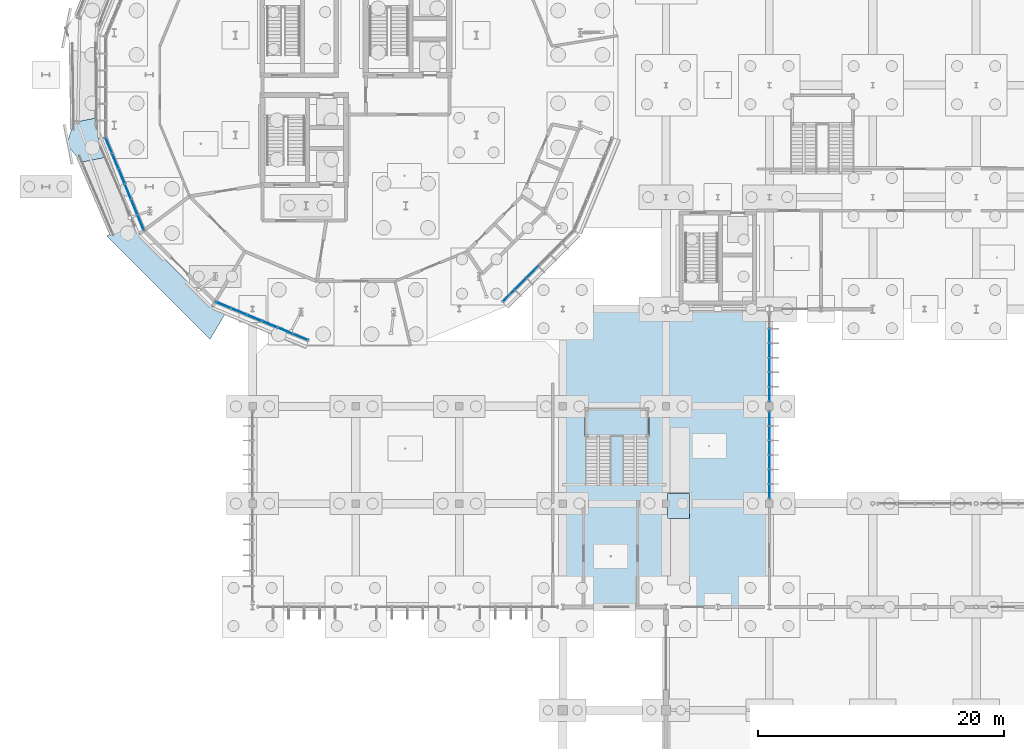
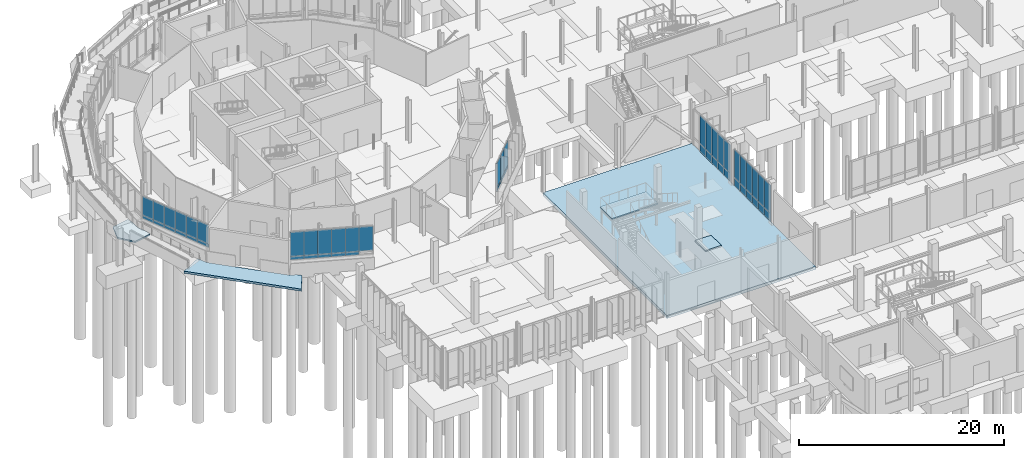
# One storey, part 66 of 119: 51 plates, 5 slabs, 8 elements without a shape of their own.
"""IFC4 building model written with IfcOpenShell, lengths in metres."""

from ifc_helpers import new_model, si_unit, derived_unit, direction, frame, origin, origin_2d, place, context, subcontext, project, spatial, polyline, rectangle, outline, extrude, material, layer, layer_set, type_object, element, aggregate, save


model = new_model("IFC4")

# Units and contexts
model_context = context("Model", 3, precision=1e-05, world=origin(), true_north=direction((0.0, 1.0)))
body_context = subcontext(model_context, "Body", "Model", "MODEL_VIEW")
ifc_project = project(units=[si_unit("LENGTHUNIT", "METRE"), si_unit("AREAUNIT", "SQUARE_METRE"), si_unit("VOLUMEUNIT", "CUBIC_METRE"), si_unit("PLANEANGLEUNIT", "RADIAN"), si_unit("MASSUNIT", "GRAM", prefix="KILO"), derived_unit("THERMALTRANSMITTANCEUNIT", [(si_unit("MASSUNIT", "GRAM", prefix="KILO"), 1), (si_unit("TIMEUNIT", "SECOND"), -3), (si_unit("THERMODYNAMICTEMPERATUREUNIT", "KELVIN"), -1)])], contexts=[model_context])

# Site, building, storey
site_placement = place(None, origin())
site = spatial("IfcSite", under=ifc_project, at=site_placement, CompositionType="ELEMENT")
building_placement = place(site_placement, origin())
building = spatial("IfcBuilding", under=site, at=building_placement, Name="Makaiwela Harbour Ferry Terminal", CompositionType="ELEMENT")
storey_placement = place(building_placement, origin())
storey = spatial("IfcBuildingStorey", under=building, at=storey_placement, Name="L00", CompositionType="ELEMENT", Elevation=0.0)

# Curtain wall, plates
ifc_material_1 = material(Name="Marine anodised aluminium 6063-T6", Category="aluminium")
ifc_layer_1 = layer(ifc_material_1, 0.199951171875)
ifc_layer_set_1 = layer_set([ifc_layer_1], Name="Marine anodised aluminium 6063-T6")
curtain_wall_type_1 = type_object("IfcCurtainWallType", Name="ENV-CW-01", PredefinedType="USERDEFINED", material=ifc_layer_set_1)
curtain_wall_1_placement = place(storey_placement, origin())
curtain_wall_1 = element("IfcCurtainWall", 1, at=curtain_wall_1_placement, inside=storey, type_object=curtain_wall_type_1, Name="Unitised Curtain Wall CWA-008", ObjectType="UNITIZED CURTAIN WALL", PredefinedType="USERDEFINED")
ifc_material_2 = material(Name="Laminated hurricane-impact low-E insulated glazing", Category="glass")
ifc_layer_2 = layer(ifc_material_2, 0.031982421875)
ifc_layer_set_2 = layer_set([ifc_layer_2], Name="Laminated hurricane-impact low-E insulated glazing")
plate_type_1 = type_object("IfcPlateType", Name="CW-PNL-G02", PredefinedType="CURTAIN_PANEL", material=ifc_layer_set_2)
plate_1_placement = place(storey_placement, frame((27.036865234375, 49.71826171875, 1.900146484375), z_axis=(0.0, 0.0, 1.0), x_axis=(0.923879532511, -0.382683432365, 0.0)))
plate_1 = element("IfcPlate", 2, at=plate_1_placement, type_object=plate_type_1, Name="Glazed Vision Panel CWA-008-1G", PredefinedType="CURTAIN_PANEL", context=body_context, shape_type="SweptSolid", body=[
    extrude(rectangle(XDim=1.355712890625, YDim=0.031982421875, at=origin_2d()), origin(), (0.0, 0.0, 1.0), 2.919921875),
])
plate_2_placement = place(storey_placement, frame((28.289306640625, 49.199462890625, 1.900146484375), z_axis=(0.0, 0.0, 1.0), x_axis=(0.923879532511, -0.382683432365, 0.0)))
plate_2 = element("IfcPlate", 3, at=plate_2_placement, type_object=plate_type_1, Name="Glazed Vision Panel CWA-008-2G", PredefinedType="CURTAIN_PANEL", context=body_context, shape_type="SweptSolid", body=[
    extrude(rectangle(XDim=1.355712890625, YDim=0.031982421875, at=origin_2d()), origin(), (0.0, 0.0, 1.0), 2.919921875),
])
plate_3_placement = place(storey_placement, frame((29.541748046875, 48.6806640625, 1.900146484375), z_axis=(0.0, 0.0, 1.0), x_axis=(0.923879532511, -0.382683432365, 0.0)))
plate_3 = element("IfcPlate", 4, at=plate_3_placement, type_object=plate_type_1, Name="Glazed Vision Panel CWA-008-3G", PredefinedType="CURTAIN_PANEL", context=body_context, shape_type="SweptSolid", body=[
    extrude(rectangle(XDim=1.355712890625, YDim=0.031982421875, at=origin_2d()), origin(), (0.0, 0.0, 1.0), 2.919921875),
])
plate_4_placement = place(storey_placement, frame((30.794189453125, 48.161865234375, 1.900146484375), z_axis=(0.0, 0.0, 1.0), x_axis=(0.923879532511, -0.382683432365, 0.0)))
plate_4 = element("IfcPlate", 5, at=plate_4_placement, type_object=plate_type_1, Name="Glazed Vision Panel CWA-008-4G", PredefinedType="CURTAIN_PANEL", context=body_context, shape_type="SweptSolid", body=[
    extrude(rectangle(XDim=1.355712890625, YDim=0.031982421875, at=origin_2d()), origin(), (0.0, 0.0, 1.0), 2.919921875),
])
plate_5_placement = place(storey_placement, frame((32.046630859375, 47.643310546875, 1.900146484375), z_axis=(0.0, 0.0, 1.0), x_axis=(0.923879532511, -0.382683432365, 0.0)))
plate_5 = element("IfcPlate", 6, at=plate_5_placement, type_object=plate_type_1, Name="Glazed Vision Panel CWA-008-5G", PredefinedType="CURTAIN_PANEL", context=body_context, shape_type="SweptSolid", body=[
    extrude(rectangle(XDim=1.355712890625, YDim=0.031982421875, at=origin_2d()), origin(), (0.0, 0.0, 1.0), 2.919921875),
])
plate_6_placement = place(storey_placement, frame((33.29931640625, 47.12451171875, 1.900146484375), z_axis=(0.0, 0.0, 1.0), x_axis=(0.923879532511, -0.382683432365, 0.0)))
plate_6 = element("IfcPlate", 7, at=plate_6_placement, type_object=plate_type_1, Name="Glazed Vision Panel CWA-008-6G", PredefinedType="CURTAIN_PANEL", context=body_context, shape_type="SweptSolid", body=[
    extrude(rectangle(XDim=1.355712890625, YDim=0.031982421875, at=origin_2d()), origin(), (0.0, 0.0, 1.0), 2.919921875),
])

curtain_wall_2_placement = place(storey_placement, origin())
curtain_wall_2 = element("IfcCurtainWall", 8, at=curtain_wall_2_placement, inside=storey, type_object=curtain_wall_type_1, Name="Unitised Curtain Wall CWA-009", ObjectType="UNITIZED CURTAIN WALL", PredefinedType="USERDEFINED")
plate_7_placement = place(storey_placement, frame((50.217529296875, 50.489501953125, 1.900146484375), z_axis=(0.0, 0.0, 1.0), x_axis=(0.707106781187, 0.707106781187, 0.0)))
plate_7 = element("IfcPlate", 9, at=plate_7_placement, type_object=plate_type_1, Name="Glazed Vision Panel CWA-009-1G", PredefinedType="CURTAIN_PANEL", context=body_context, shape_type="SweptSolid", body=[
    extrude(rectangle(XDim=1.355712890625, YDim=0.031982421875, at=origin_2d()), origin(), (0.0, 0.0, 1.0), 2.919921875),
])
plate_8_placement = place(storey_placement, frame((51.176025390625, 51.4482421875, 1.900146484375), z_axis=(0.0, 0.0, 1.0), x_axis=(0.707106781187, 0.707106781187, 0.0)))
plate_8 = element("IfcPlate", 10, at=plate_8_placement, type_object=plate_type_1, Name="Glazed Vision Panel CWA-009-2G", PredefinedType="CURTAIN_PANEL", context=body_context, shape_type="SweptSolid", body=[
    extrude(rectangle(XDim=1.355712890625, YDim=0.031982421875, at=origin_2d()), origin(), (0.0, 0.0, 1.0), 2.919921875),
])
plate_9_placement = place(storey_placement, frame((52.134765625, 52.40673828125, 1.900146484375), z_axis=(0.0, 0.0, 1.0), x_axis=(0.707106781187, 0.707106781187, 0.0)))
plate_9 = element("IfcPlate", 11, at=plate_9_placement, type_object=plate_type_1, Name="Glazed Vision Panel CWA-009-3G", PredefinedType="CURTAIN_PANEL", context=body_context, shape_type="SweptSolid", body=[
    extrude(rectangle(XDim=1.355712890625, YDim=0.031982421875, at=origin_2d()), origin(), (0.0, 0.0, 1.0), 2.919921875),
])

ifc_layer_3 = layer(ifc_material_1, 0.199951171875)
ifc_layer_set_3 = layer_set([ifc_layer_3], Name="Marine anodised aluminium 6063-T6")
curtain_wall_type_2 = type_object("IfcCurtainWallType", Name="ENV-CW-02", PredefinedType="USERDEFINED", material=ifc_layer_set_3)
curtain_wall_3_placement = place(storey_placement, origin())
curtain_wall_3 = element("IfcCurtainWall", 12, at=curtain_wall_3_placement, inside=storey, type_object=curtain_wall_type_2, Name="Unitised Curtain Wall CWA-007", ObjectType="UNITIZED CURTAIN WALL", PredefinedType="USERDEFINED")
ifc_layer_4 = layer(ifc_material_2, 0.031982421875)
ifc_layer_set_4 = layer_set([ifc_layer_4], Name="Laminated hurricane-impact low-E insulated glazing")
plate_type_2 = type_object("IfcPlateType", Name="CW-PNL-G03", PredefinedType="CURTAIN_PANEL", material=ifc_layer_set_4)
plate_10_placement = place(storey_placement, frame((17.724365234375, 62.69921875, 1.89990234375), z_axis=(0.0, 0.0, 1.0), x_axis=(0.382683432365, -0.923879532511, 0.0)))
plate_10 = element("IfcPlate", 13, at=plate_10_placement, type_object=plate_type_2, Name="Glazed Vision Panel CWA-007-1G", PredefinedType="CURTAIN_PANEL", context=body_context, shape_type="SweptSolid", body=[
    extrude(rectangle(XDim=1.355712890625, YDim=0.031982421875, at=origin_2d()), origin(), (0.0, 0.0, 1.0), 2.260009765625),
])
plate_11_placement = place(storey_placement, frame((18.2431640625, 61.44677734375, 1.89990234375), z_axis=(0.0, 0.0, 1.0), x_axis=(0.382683432365, -0.923879532511, 0.0)))
plate_11 = element("IfcPlate", 14, at=plate_11_placement, type_object=plate_type_2, Name="Glazed Vision Panel CWA-007-2G", PredefinedType="CURTAIN_PANEL", context=body_context, shape_type="SweptSolid", body=[
    extrude(rectangle(XDim=1.355712890625, YDim=0.031982421875, at=origin_2d()), origin(), (0.0, 0.0, 1.0), 2.260009765625),
])
plate_12_placement = place(storey_placement, frame((18.761962890625, 60.1943359375, 1.89990234375), z_axis=(0.0, 0.0, 1.0), x_axis=(0.382683432365, -0.923879532511, 0.0)))
plate_12 = element("IfcPlate", 15, at=plate_12_placement, type_object=plate_type_2, Name="Glazed Vision Panel CWA-007-3G", PredefinedType="CURTAIN_PANEL", context=body_context, shape_type="SweptSolid", body=[
    extrude(rectangle(XDim=1.355712890625, YDim=0.031982421875, at=origin_2d()), origin(), (0.0, 0.0, 1.0), 2.260009765625),
])
plate_13_placement = place(storey_placement, frame((19.28076171875, 58.94189453125, 1.89990234375), z_axis=(0.0, 0.0, 1.0), x_axis=(0.382683432365, -0.923879532511, 0.0)))
plate_13 = element("IfcPlate", 16, at=plate_13_placement, type_object=plate_type_2, Name="Glazed Vision Panel CWA-007-4G", PredefinedType="CURTAIN_PANEL", context=body_context, shape_type="SweptSolid", body=[
    extrude(rectangle(XDim=1.355712890625, YDim=0.031982421875, at=origin_2d()), origin(), (0.0, 0.0, 1.0), 2.260009765625),
])
plate_14_placement = place(storey_placement, frame((19.799560546875, 57.689453125, 1.89990234375), z_axis=(0.0, 0.0, 1.0), x_axis=(0.382683432365, -0.923879532511, 0.0)))
plate_14 = element("IfcPlate", 17, at=plate_14_placement, type_object=plate_type_2, Name="Glazed Vision Panel CWA-007-5G", PredefinedType="CURTAIN_PANEL", context=body_context, shape_type="SweptSolid", body=[
    extrude(rectangle(XDim=1.355712890625, YDim=0.031982421875, at=origin_2d()), origin(), (0.0, 0.0, 1.0), 2.260009765625),
])
plate_15_placement = place(storey_placement, frame((20.318115234375, 56.43701171875, 1.89990234375), z_axis=(0.0, 0.0, 1.0), x_axis=(0.382683432365, -0.923879532511, 0.0)))
plate_15 = element("IfcPlate", 18, at=plate_15_placement, type_object=plate_type_2, Name="Glazed Vision Panel CWA-007-6G", PredefinedType="CURTAIN_PANEL", context=body_context, shape_type="SweptSolid", body=[
    extrude(rectangle(XDim=1.355712890625, YDim=0.031982421875, at=origin_2d()), origin(), (0.0, 0.0, 1.0), 2.260009765625),
])

ifc_layer_5 = layer(ifc_material_1, 0.199951171875)
ifc_layer_set_5 = layer_set([ifc_layer_5], Name="Marine anodised aluminium 6063-T6")
curtain_wall_type_3 = type_object("IfcCurtainWallType", Name="ENV-CW-12", PredefinedType="USERDEFINED", material=ifc_layer_set_5)
curtain_wall_4_placement = place(storey_placement, origin())
curtain_wall_4 = element("IfcCurtainWall", 19, at=curtain_wall_4_placement, inside=storey, type_object=curtain_wall_type_3, Name="Unitised Curtain Wall CWA-108", ObjectType="UNITIZED CURTAIN WALL", PredefinedType="USERDEFINED")
ifc_layer_6 = layer(ifc_material_2, 0.031982421875)
ifc_layer_set_6 = layer_set([ifc_layer_6], Name="Laminated hurricane-impact low-E insulated glazing")
plate_type_3 = type_object("IfcPlateType", Name="CW-PNL-G17", PredefinedType="CURTAIN_PANEL", material=ifc_layer_set_6)
plate_16_placement = place(storey_placement, frame((71.39990234375, 40.49169921875, 0.949951171875), z_axis=(0.0, 0.0, 1.0), x_axis=(0.0, -1.0, 0.0)))
plate_16 = element("IfcPlate", 20, at=plate_16_placement, type_object=plate_type_3, Name="Glazed Vision Panel CWA-108-1G", PredefinedType="CURTAIN_PANEL", context=body_context, shape_type="SweptSolid", body=[
    extrude(rectangle(XDim=1.1767578125, YDim=0.031982421875, at=origin_2d()), origin(), (0.0, 0.0, 1.0), 3.39990234375),
])
plate_17_placement = place(storey_placement, frame((71.39990234375, 39.31494140625, 0.949951171875), z_axis=(0.0, 0.0, 1.0), x_axis=(0.0, -1.0, 0.0)))
plate_17 = element("IfcPlate", 21, at=plate_17_placement, type_object=plate_type_3, Name="Glazed Vision Panel CWA-108-2G", PredefinedType="CURTAIN_PANEL", context=body_context, shape_type="SweptSolid", body=[
    extrude(rectangle(XDim=1.1767578125, YDim=0.031982421875, at=origin_2d()), origin(), (0.0, 0.0, 1.0), 3.39990234375),
])
plate_18_placement = place(storey_placement, frame((71.39990234375, 38.13818359375, 0.949951171875), z_axis=(0.0, 0.0, 1.0), x_axis=(0.0, -1.0, 0.0)))
plate_18 = element("IfcPlate", 22, at=plate_18_placement, type_object=plate_type_3, Name="Glazed Vision Panel CWA-108-3G", PredefinedType="CURTAIN_PANEL", context=body_context, shape_type="SweptSolid", body=[
    extrude(rectangle(XDim=1.1767578125, YDim=0.031982421875, at=origin_2d()), origin(), (0.0, 0.0, 1.0), 3.39990234375),
])
plate_19_placement = place(storey_placement, frame((71.39990234375, 36.961669921875, 0.949951171875), z_axis=(0.0, 0.0, 1.0), x_axis=(0.0, -1.0, 0.0)))
plate_19 = element("IfcPlate", 23, at=plate_19_placement, type_object=plate_type_3, Name="Glazed Vision Panel CWA-108-4G", PredefinedType="CURTAIN_PANEL", context=body_context, shape_type="SweptSolid", body=[
    extrude(rectangle(XDim=1.1767578125, YDim=0.031982421875, at=origin_2d()), origin(), (0.0, 0.0, 1.0), 3.39990234375),
])
plate_20_placement = place(storey_placement, frame((71.39990234375, 35.784912109375, 0.949951171875), z_axis=(0.0, 0.0, 1.0), x_axis=(0.0, -1.0, 0.0)))
plate_20 = element("IfcPlate", 24, at=plate_20_placement, type_object=plate_type_3, Name="Glazed Vision Panel CWA-108-5G", PredefinedType="CURTAIN_PANEL", context=body_context, shape_type="SweptSolid", body=[
    extrude(rectangle(XDim=1.1767578125, YDim=0.031982421875, at=origin_2d()), origin(), (0.0, 0.0, 1.0), 3.39990234375),
])
plate_21_placement = place(storey_placement, frame((71.39990234375, 34.6083984375, 0.949951171875), z_axis=(0.0, 0.0, 1.0), x_axis=(0.0, -1.0, 0.0)))
plate_21 = element("IfcPlate", 25, at=plate_21_placement, type_object=plate_type_3, Name="Glazed Vision Panel CWA-108-6G", PredefinedType="CURTAIN_PANEL", context=body_context, shape_type="SweptSolid", body=[
    extrude(rectangle(XDim=1.1767578125, YDim=0.031982421875, at=origin_2d()), origin(), (0.0, 0.0, 1.0), 3.39990234375),
])

curtain_wall_5_placement = place(storey_placement, origin())
curtain_wall_5 = element("IfcCurtainWall", 26, at=curtain_wall_5_placement, inside=storey, type_object=curtain_wall_type_3, Name="Unitised Curtain Wall CWA-111", ObjectType="UNITIZED CURTAIN WALL", PredefinedType="USERDEFINED")
plate_22_placement = place(storey_placement, frame((71.39990234375, 47.215087890625, 0.949951171875), z_axis=(0.0, 0.0, 1.0), x_axis=(0.0, -1.0, 0.0)))
plate_22 = element("IfcPlate", 27, at=plate_22_placement, type_object=plate_type_3, Name="Glazed Vision Panel CWA-111-2G", PredefinedType="CURTAIN_PANEL", context=body_context, shape_type="SweptSolid", body=[
    extrude(rectangle(XDim=1.1767578125, YDim=0.031982421875, at=origin_2d()), origin(), (0.0, 0.0, 1.0), 3.39990234375),
])
plate_23_placement = place(storey_placement, frame((71.39990234375, 46.038330078125, 0.949951171875), z_axis=(0.0, 0.0, 1.0), x_axis=(0.0, -1.0, 0.0)))
plate_23 = element("IfcPlate", 28, at=plate_23_placement, type_object=plate_type_3, Name="Glazed Vision Panel CWA-111-3G", PredefinedType="CURTAIN_PANEL", context=body_context, shape_type="SweptSolid", body=[
    extrude(rectangle(XDim=1.1767578125, YDim=0.031982421875, at=origin_2d()), origin(), (0.0, 0.0, 1.0), 3.39990234375),
])
plate_24_placement = place(storey_placement, frame((71.39990234375, 44.86181640625, 0.949951171875), z_axis=(0.0, 0.0, 1.0), x_axis=(0.0, -1.0, 0.0)))
plate_24 = element("IfcPlate", 29, at=plate_24_placement, type_object=plate_type_3, Name="Glazed Vision Panel CWA-111-4G", PredefinedType="CURTAIN_PANEL", context=body_context, shape_type="SweptSolid", body=[
    extrude(rectangle(XDim=1.1767578125, YDim=0.031982421875, at=origin_2d()), origin(), (0.0, 0.0, 1.0), 3.39990234375),
])
plate_25_placement = place(storey_placement, frame((71.39990234375, 43.68505859375, 0.949951171875), z_axis=(0.0, 0.0, 1.0), x_axis=(0.0, -1.0, 0.0)))
plate_25 = element("IfcPlate", 30, at=plate_25_placement, type_object=plate_type_3, Name="Glazed Vision Panel CWA-111-5G", PredefinedType="CURTAIN_PANEL", context=body_context, shape_type="SweptSolid", body=[
    extrude(rectangle(XDim=1.1767578125, YDim=0.031982421875, at=origin_2d()), origin(), (0.0, 0.0, 1.0), 3.39990234375),
])
plate_26_placement = place(storey_placement, frame((71.39990234375, 42.50830078125, 0.949951171875), z_axis=(0.0, 0.0, 1.0), x_axis=(0.0, -1.0, 0.0)))
plate_26 = element("IfcPlate", 31, at=plate_26_placement, type_object=plate_type_3, Name="Glazed Vision Panel CWA-111-6G", PredefinedType="CURTAIN_PANEL", context=body_context, shape_type="SweptSolid", body=[
    extrude(rectangle(XDim=1.1767578125, YDim=0.031982421875, at=origin_2d()), origin(), (0.0, 0.0, 1.0), 3.39990234375),
])

# Plate
ifc_material_3 = material(Name="Insulated marine aluminium spandrel panel", Category="aluminium")
ifc_layer_7 = layer(ifc_material_3, 0.048095703125)
ifc_layer_set_7 = layer_set([ifc_layer_7], Name="Insulated marine aluminium spandrel panel")
plate_type_4 = type_object("IfcPlateType", Name="CW-PNL-S01", PredefinedType="CURTAIN_PANEL", material=ifc_layer_set_7)
plate_27_placement = place(storey_placement, frame((17.724365234375, 62.69921875, 1.47998046875), z_axis=(0.0, 0.0, 1.0), x_axis=(0.382683432365, -0.923879532511, 0.0)))
plate_27 = element("IfcPlate", 32, at=plate_27_placement, type_object=plate_type_4, Name="Spandrel Panel CWA-007-1S", PredefinedType="CURTAIN_PANEL", context=body_context, shape_type="SweptSolid", body=[
    extrude(rectangle(XDim=1.355712890625, YDim=0.048095703125, at=origin_2d()), origin(), (0.0, 0.0, 1.0), 0.419921875),
])

plate_28_placement = place(storey_placement, frame((18.2431640625, 61.44677734375, 1.47998046875), z_axis=(0.0, 0.0, 1.0), x_axis=(0.382683432365, -0.923879532511, 0.0)))
plate_28 = element("IfcPlate", 33, at=plate_28_placement, type_object=plate_type_4, Name="Spandrel Panel CWA-007-2S", PredefinedType="CURTAIN_PANEL", context=body_context, shape_type="SweptSolid", body=[
    extrude(rectangle(XDim=1.355712890625, YDim=0.048095703125, at=origin_2d()), origin(), (0.0, 0.0, 1.0), 0.419921875),
])

plate_29_placement = place(storey_placement, frame((18.761962890625, 60.1943359375, 1.47998046875), z_axis=(0.0, 0.0, 1.0), x_axis=(0.382683432365, -0.923879532511, 0.0)))
plate_29 = element("IfcPlate", 34, at=plate_29_placement, type_object=plate_type_4, Name="Spandrel Panel CWA-007-3S", PredefinedType="CURTAIN_PANEL", context=body_context, shape_type="SweptSolid", body=[
    extrude(rectangle(XDim=1.355712890625, YDim=0.048095703125, at=origin_2d()), origin(), (0.0, 0.0, 1.0), 0.419921875),
])

plate_30_placement = place(storey_placement, frame((19.28076171875, 58.94189453125, 1.47998046875), z_axis=(0.0, 0.0, 1.0), x_axis=(0.382683432365, -0.923879532511, 0.0)))
plate_30 = element("IfcPlate", 35, at=plate_30_placement, type_object=plate_type_4, Name="Spandrel Panel CWA-007-4S", PredefinedType="CURTAIN_PANEL", context=body_context, shape_type="SweptSolid", body=[
    extrude(rectangle(XDim=1.355712890625, YDim=0.048095703125, at=origin_2d()), origin(), (0.0, 0.0, 1.0), 0.419921875),
])

plate_31_placement = place(storey_placement, frame((19.799560546875, 57.689453125, 1.47998046875), z_axis=(0.0, 0.0, 1.0), x_axis=(0.382683432365, -0.923879532511, 0.0)))
plate_31 = element("IfcPlate", 36, at=plate_31_placement, type_object=plate_type_4, Name="Spandrel Panel CWA-007-5S", PredefinedType="CURTAIN_PANEL", context=body_context, shape_type="SweptSolid", body=[
    extrude(rectangle(XDim=1.355712890625, YDim=0.048095703125, at=origin_2d()), origin(), (0.0, 0.0, 1.0), 0.419921875),
])

plate_32_placement = place(storey_placement, frame((20.318115234375, 56.43701171875, 1.47998046875), z_axis=(0.0, 0.0, 1.0), x_axis=(0.382683432365, -0.923879532511, 0.0)))
plate_32 = element("IfcPlate", 37, at=plate_32_placement, type_object=plate_type_4, Name="Spandrel Panel CWA-007-6S", PredefinedType="CURTAIN_PANEL", context=body_context, shape_type="SweptSolid", body=[
    extrude(rectangle(XDim=1.355712890625, YDim=0.048095703125, at=origin_2d()), origin(), (0.0, 0.0, 1.0), 0.419921875),
])

aggregate(curtain_wall_3, [plate_27, plate_10, plate_28, plate_11, plate_29, plate_12, plate_30, plate_13, plate_31, plate_14, plate_32, plate_15])

plate_33_placement = place(storey_placement, frame((27.036865234375, 49.71826171875, 1.47998046875), z_axis=(0.0, 0.0, 1.0), x_axis=(0.923879532511, -0.382683432365, 0.0)))
plate_33 = element("IfcPlate", 38, at=plate_33_placement, type_object=plate_type_4, Name="Spandrel Panel CWA-008-1S", PredefinedType="CURTAIN_PANEL", context=body_context, shape_type="SweptSolid", body=[
    extrude(rectangle(XDim=1.355712890625, YDim=0.048095703125, at=origin_2d()), origin(), (0.0, 0.0, 1.0), 0.419921875),
])

plate_34_placement = place(storey_placement, frame((28.289306640625, 49.199462890625, 1.47998046875), z_axis=(0.0, 0.0, 1.0), x_axis=(0.923879532511, -0.382683432365, 0.0)))
plate_34 = element("IfcPlate", 39, at=plate_34_placement, type_object=plate_type_4, Name="Spandrel Panel CWA-008-2S", PredefinedType="CURTAIN_PANEL", context=body_context, shape_type="SweptSolid", body=[
    extrude(rectangle(XDim=1.355712890625, YDim=0.048095703125, at=origin_2d()), origin(), (0.0, 0.0, 1.0), 0.419921875),
])

plate_35_placement = place(storey_placement, frame((29.541748046875, 48.6806640625, 1.47998046875), z_axis=(0.0, 0.0, 1.0), x_axis=(0.923879532511, -0.382683432365, 0.0)))
plate_35 = element("IfcPlate", 40, at=plate_35_placement, type_object=plate_type_4, Name="Spandrel Panel CWA-008-3S", PredefinedType="CURTAIN_PANEL", context=body_context, shape_type="SweptSolid", body=[
    extrude(rectangle(XDim=1.355712890625, YDim=0.048095703125, at=origin_2d()), origin(), (0.0, 0.0, 1.0), 0.419921875),
])

plate_36_placement = place(storey_placement, frame((30.794189453125, 48.161865234375, 1.47998046875), z_axis=(0.0, 0.0, 1.0), x_axis=(0.923879532511, -0.382683432365, 0.0)))
plate_36 = element("IfcPlate", 41, at=plate_36_placement, type_object=plate_type_4, Name="Spandrel Panel CWA-008-4S", PredefinedType="CURTAIN_PANEL", context=body_context, shape_type="SweptSolid", body=[
    extrude(rectangle(XDim=1.355712890625, YDim=0.048095703125, at=origin_2d()), origin(), (0.0, 0.0, 1.0), 0.419921875),
])

plate_37_placement = place(storey_placement, frame((32.046630859375, 47.643310546875, 1.47998046875), z_axis=(0.0, 0.0, 1.0), x_axis=(0.923879532511, -0.382683432365, 0.0)))
plate_37 = element("IfcPlate", 42, at=plate_37_placement, type_object=plate_type_4, Name="Spandrel Panel CWA-008-5S", PredefinedType="CURTAIN_PANEL", context=body_context, shape_type="SweptSolid", body=[
    extrude(rectangle(XDim=1.355712890625, YDim=0.048095703125, at=origin_2d()), origin(), (0.0, 0.0, 1.0), 0.419921875),
])

aggregate(curtain_wall_1, [plate_33, plate_1, plate_34, plate_2, plate_35, plate_3, plate_36, plate_4, plate_37, plate_5, plate_6])

plate_38_placement = place(storey_placement, frame((50.217529296875, 50.489501953125, 1.47998046875), z_axis=(0.0, 0.0, 1.0), x_axis=(0.707106781187, 0.707106781187, 0.0)))
plate_38 = element("IfcPlate", 43, at=plate_38_placement, type_object=plate_type_4, Name="Spandrel Panel CWA-009-1S", PredefinedType="CURTAIN_PANEL", context=body_context, shape_type="SweptSolid", body=[
    extrude(rectangle(XDim=1.355712890625, YDim=0.048095703125, at=origin_2d()), origin(), (0.0, 0.0, 1.0), 0.419921875),
])

plate_39_placement = place(storey_placement, frame((51.176025390625, 51.4482421875, 1.47998046875), z_axis=(0.0, 0.0, 1.0), x_axis=(0.707106781187, 0.707106781187, 0.0)))
plate_39 = element("IfcPlate", 44, at=plate_39_placement, type_object=plate_type_4, Name="Spandrel Panel CWA-009-2S", PredefinedType="CURTAIN_PANEL", context=body_context, shape_type="SweptSolid", body=[
    extrude(rectangle(XDim=1.355712890625, YDim=0.048095703125, at=origin_2d()), origin(), (0.0, 0.0, 1.0), 0.419921875),
])

plate_40_placement = place(storey_placement, frame((52.134765625, 52.40673828125, 1.47998046875), z_axis=(0.0, 0.0, 1.0), x_axis=(0.707106781187, 0.707106781187, 0.0)))
plate_40 = element("IfcPlate", 45, at=plate_40_placement, type_object=plate_type_4, Name="Spandrel Panel CWA-009-3S", PredefinedType="CURTAIN_PANEL", context=body_context, shape_type="SweptSolid", body=[
    extrude(rectangle(XDim=1.355712890625, YDim=0.048095703125, at=origin_2d()), origin(), (0.0, 0.0, 1.0), 0.419921875),
])

aggregate(curtain_wall_2, [plate_38, plate_7, plate_39, plate_8, plate_40, plate_9])

ifc_layer_8 = layer(ifc_material_3, 0.048095703125)
ifc_layer_set_8 = layer_set([ifc_layer_8], Name="Insulated marine aluminium spandrel panel")
plate_type_5 = type_object("IfcPlateType", Name="CW-PNL-S16", PredefinedType="CURTAIN_PANEL", material=ifc_layer_set_8)
plate_41_placement = place(storey_placement, frame((71.39990234375, 40.49169921875, 0.0), z_axis=(0.0, 0.0, 1.0), x_axis=(0.0, -1.0, 0.0)))
plate_41 = element("IfcPlate", 46, at=plate_41_placement, type_object=plate_type_5, Name="Spandrel Panel CWA-108-1S", PredefinedType="CURTAIN_PANEL", context=body_context, shape_type="SweptSolid", body=[
    extrude(rectangle(XDim=1.1767578125, YDim=0.048095703125, at=origin_2d()), origin(), (0.0, 0.0, 1.0), 0.949951171875),
])

plate_42_placement = place(storey_placement, frame((71.39990234375, 39.31494140625, 0.0), z_axis=(0.0, 0.0, 1.0), x_axis=(0.0, -1.0, 0.0)))
plate_42 = element("IfcPlate", 47, at=plate_42_placement, type_object=plate_type_5, Name="Spandrel Panel CWA-108-2S", PredefinedType="CURTAIN_PANEL", context=body_context, shape_type="SweptSolid", body=[
    extrude(rectangle(XDim=1.1767578125, YDim=0.048095703125, at=origin_2d()), origin(), (0.0, 0.0, 1.0), 0.949951171875),
])

plate_43_placement = place(storey_placement, frame((71.39990234375, 38.13818359375, 0.0), z_axis=(0.0, 0.0, 1.0), x_axis=(0.0, -1.0, 0.0)))
plate_43 = element("IfcPlate", 48, at=plate_43_placement, type_object=plate_type_5, Name="Spandrel Panel CWA-108-3S", PredefinedType="CURTAIN_PANEL", context=body_context, shape_type="SweptSolid", body=[
    extrude(rectangle(XDim=1.1767578125, YDim=0.048095703125, at=origin_2d()), origin(), (0.0, 0.0, 1.0), 0.949951171875),
])

plate_44_placement = place(storey_placement, frame((71.39990234375, 36.961669921875, 0.0), z_axis=(0.0, 0.0, 1.0), x_axis=(0.0, -1.0, 0.0)))
plate_44 = element("IfcPlate", 49, at=plate_44_placement, type_object=plate_type_5, Name="Spandrel Panel CWA-108-4S", PredefinedType="CURTAIN_PANEL", context=body_context, shape_type="SweptSolid", body=[
    extrude(rectangle(XDim=1.1767578125, YDim=0.048095703125, at=origin_2d()), origin(), (0.0, 0.0, 1.0), 0.949951171875),
])

plate_45_placement = place(storey_placement, frame((71.39990234375, 35.784912109375, 0.0), z_axis=(0.0, 0.0, 1.0), x_axis=(0.0, -1.0, 0.0)))
plate_45 = element("IfcPlate", 50, at=plate_45_placement, type_object=plate_type_5, Name="Spandrel Panel CWA-108-5S", PredefinedType="CURTAIN_PANEL", context=body_context, shape_type="SweptSolid", body=[
    extrude(rectangle(XDim=1.1767578125, YDim=0.048095703125, at=origin_2d()), origin(), (0.0, 0.0, 1.0), 0.949951171875),
])

plate_46_placement = place(storey_placement, frame((71.39990234375, 34.6083984375, 0.0), z_axis=(0.0, 0.0, 1.0), x_axis=(0.0, -1.0, 0.0)))
plate_46 = element("IfcPlate", 51, at=plate_46_placement, type_object=plate_type_5, Name="Spandrel Panel CWA-108-6S", PredefinedType="CURTAIN_PANEL", context=body_context, shape_type="SweptSolid", body=[
    extrude(rectangle(XDim=1.1767578125, YDim=0.048095703125, at=origin_2d()), origin(), (0.0, 0.0, 1.0), 0.949951171875),
])

aggregate(curtain_wall_4, [plate_41, plate_16, plate_42, plate_17, plate_43, plate_18, plate_44, plate_19, plate_45, plate_20, plate_46, plate_21])

plate_47_placement = place(storey_placement, frame((71.39990234375, 47.215087890625, 0.0), z_axis=(0.0, 0.0, 1.0), x_axis=(0.0, -1.0, 0.0)))
plate_47 = element("IfcPlate", 52, at=plate_47_placement, type_object=plate_type_5, Name="Spandrel Panel CWA-111-2S", PredefinedType="CURTAIN_PANEL", context=body_context, shape_type="SweptSolid", body=[
    extrude(rectangle(XDim=1.1767578125, YDim=0.048095703125, at=origin_2d()), origin(), (0.0, 0.0, 1.0), 0.949951171875),
])

plate_48_placement = place(storey_placement, frame((71.39990234375, 46.038330078125, 0.0), z_axis=(0.0, 0.0, 1.0), x_axis=(0.0, -1.0, 0.0)))
plate_48 = element("IfcPlate", 53, at=plate_48_placement, type_object=plate_type_5, Name="Spandrel Panel CWA-111-3S", PredefinedType="CURTAIN_PANEL", context=body_context, shape_type="SweptSolid", body=[
    extrude(rectangle(XDim=1.1767578125, YDim=0.048095703125, at=origin_2d()), origin(), (0.0, 0.0, 1.0), 0.949951171875),
])

plate_49_placement = place(storey_placement, frame((71.39990234375, 44.86181640625, 0.0), z_axis=(0.0, 0.0, 1.0), x_axis=(0.0, -1.0, 0.0)))
plate_49 = element("IfcPlate", 54, at=plate_49_placement, type_object=plate_type_5, Name="Spandrel Panel CWA-111-4S", PredefinedType="CURTAIN_PANEL", context=body_context, shape_type="SweptSolid", body=[
    extrude(rectangle(XDim=1.1767578125, YDim=0.048095703125, at=origin_2d()), origin(), (0.0, 0.0, 1.0), 0.949951171875),
])

plate_50_placement = place(storey_placement, frame((71.39990234375, 43.68505859375, 0.0), z_axis=(0.0, 0.0, 1.0), x_axis=(0.0, -1.0, 0.0)))
plate_50 = element("IfcPlate", 55, at=plate_50_placement, type_object=plate_type_5, Name="Spandrel Panel CWA-111-5S", PredefinedType="CURTAIN_PANEL", context=body_context, shape_type="SweptSolid", body=[
    extrude(rectangle(XDim=1.1767578125, YDim=0.048095703125, at=origin_2d()), origin(), (0.0, 0.0, 1.0), 0.949951171875),
])

plate_51_placement = place(storey_placement, frame((71.39990234375, 42.50830078125, 0.0), z_axis=(0.0, 0.0, 1.0), x_axis=(0.0, -1.0, 0.0)))
plate_51 = element("IfcPlate", 56, at=plate_51_placement, type_object=plate_type_5, Name="Spandrel Panel CWA-111-6S", PredefinedType="CURTAIN_PANEL", context=body_context, shape_type="SweptSolid", body=[
    extrude(rectangle(XDim=1.1767578125, YDim=0.048095703125, at=origin_2d()), origin(), (0.0, 0.0, 1.0), 0.949951171875),
])

aggregate(curtain_wall_5, [plate_47, plate_22, plate_48, plate_23, plate_49, plate_24, plate_50, plate_25, plate_51, plate_26])

# Slab
ifc_material_4 = material(Name="Concrete f'c 35 MPa (5000 psi)", Category="concrete")
ifc_layer_9 = layer(ifc_material_4, 0.360107421875)
ifc_layer_set_9 = layer_set([ifc_layer_9], Name="Concrete f'c 35 MPa (5000 psi)")
slab_type_1 = type_object("IfcSlabType", Name="SLB-BASE-360", PredefinedType="BASESLAB", material=ifc_layer_set_9)
slab_1_placement = place(storey_placement, frame((0.0, 0.0, -0.360107421875)))
element("IfcSlab", 57, at=slab_1_placement, inside=storey, type_object=slab_type_1, Name="Slab SLB-004", PredefinedType="BASESLAB", context=body_context, shape_type="SweptSolid", body=[
    extrude(outline(polyline([(54.60205078125, 45.39990234375), (54.60009765625, 26.59716796875), (54.60009765625, 25.199951171875), (71.39990234375, 25.199951171875), (71.39990234375, 49.39990234375), (54.60009765625, 49.39990234375), (54.60205078125, 45.39990234375)])), origin(), (0.0, 0.0, 1.0), 0.360107421875),
])

# Stair, slab
stair_type = type_object("IfcStairType", Name="CIR-STR-A10", PredefinedType="STRAIGHT_RUN_STAIR", material=ifc_material_4)
stair_placement = place(storey_placement, origin())
stair = element("IfcStair", 58, at=stair_placement, inside=storey, type_object=stair_type, Name="Stair ST-10-L00", PredefinedType="STRAIGHT_RUN_STAIR")
ifc_layer_10 = layer(ifc_material_4, 0.14990234375)
ifc_layer_set_10 = layer_set([ifc_layer_10], Name="Concrete f'c 35 MPa (5000 psi)")
slab_type_2 = type_object("IfcSlabType", Name="SLB-LND-150", PredefinedType="LANDING", material=ifc_layer_set_10)
slab_2_placement = place(storey_placement, frame((0.0, 0.0, 2.39990234375)))
slab_2 = element("IfcSlab", 59, at=slab_2_placement, type_object=slab_type_2, Name="Stair Half Landing LND-26", PredefinedType="LANDING", context=body_context, shape_type="SweptSolid", body=[
    extrude(outline(polyline([(56.39990234375, 39.06005859375), (61.60009765625, 39.06005859375), (61.60009765625, 41.39990234375), (56.39990234375, 41.39990234375), (56.39990234375, 39.06005859375)])), origin(), (0.0, 0.0, 1.0), 0.150146484375),
])
aggregate(stair, [slab_2])

# Ramp, slab
ramp_type = type_object("IfcRampType", Name="CIR-RMP-ASSY", PredefinedType="STRAIGHT_RUN_RAMP", material=ifc_material_4)
ramp_1_placement = place(storey_placement, origin())
ramp_1 = element("IfcRamp", 60, at=ramp_1_placement, inside=storey, type_object=ramp_type, Name="Biosecurity Inspection Accessible Ramp", PredefinedType="STRAIGHT_RUN_RAMP")
slab_3_placement = place(storey_placement, frame((0.0, 0.0, 0.27001953125)))
slab_3 = element("IfcSlab", 61, at=slab_3_placement, type_object=slab_type_2, Name="Biosecurity Ramp Platform", PredefinedType="LANDING", context=body_context, shape_type="SweptSolid", body=[
    extrude(outline(polyline([(63.10009765625, 32.39990234375), (64.89990234375, 32.39990234375), (64.89990234375, 34.39990234375), (63.10009765625, 34.39990234375), (63.10009765625, 32.39990234375)])), origin(), (0.0, 0.0, 1.0), 0.14990234375),
])
aggregate(ramp_1, [slab_3])

ramp_2_placement = place(storey_placement, origin())
ramp_2 = element("IfcRamp", 62, at=ramp_2_placement, inside=storey, type_object=ramp_type, Name="External Coiled Promenade Ramp L00 to L01", PredefinedType="STRAIGHT_RUN_RAMP")
ifc_layer_11 = layer(ifc_material_4, 0.169921875)
ifc_layer_set_11 = layer_set([ifc_layer_11], Name="Concrete f'c 35 MPa (5000 psi)")
slab_type_3 = type_object("IfcSlabType", Name="SLB-LND-170", PredefinedType="LANDING", material=ifc_layer_set_11)
slab_4_placement = place(storey_placement, frame((0.0, 0.0, 0.467529296875)))
slab_4 = element("IfcSlab", 63, at=slab_4_placement, type_object=slab_type_3, Name="Promenade Ramp Landing RMP-COIL-L00-L1", PredefinedType="LANDING", context=body_context, shape_type="SweptSolid", body=[
    extrude(outline(polyline([(17.250732421875, 62.38232421875), (16.874267578125, 63.291015625), (16.874267578125, 63.291259765625), (16.8740234375, 63.29150390625), (16.8740234375, 63.291748046875), (16.8740234375, 63.2919921875), (16.8740234375, 64.275634765625), (16.740478515625, 64.947265625), (14.837890625, 64.56884765625), (14.306396484375, 62.78076171875), (15.481689453125, 61.332275390625), (17.38427734375, 61.710693359375), (17.250732421875, 62.38232421875)])), origin(), (0.0, 0.0, 1.0), 0.169921875),
])
aggregate(ramp_2, [slab_4])

# Slab
ifc_layer_12 = layer(ifc_material_4, 0.25)
ifc_layer_set_12 = layer_set([ifc_layer_12], Name="Concrete f'c 35 MPa (5000 psi)")
slab_type_4 = type_object("IfcSlabType", Name="SLB-TER-250", PredefinedType="FLOOR", material=ifc_layer_set_12)
slab_5_placement = place(storey_placement, frame((0.0, 0.0, -0.25)))
element("IfcSlab", 64, at=slab_5_placement, inside=storey, type_object=slab_type_4, Name="Promenade Ramp Balcony Terrace RTER-L00", PredefinedType="FLOOR", context=body_context, shape_type="SweptSolid", body=[
    extrude(outline(polyline([(26.7705078125, 49.348876953125), (26.132080078125, 49.61328125), (26.132080078125, 49.61328125), (26.1318359375, 49.61328125), (26.131591796875, 49.613525390625), (26.131591796875, 49.613525390625), (20.213623046875, 55.531494140625), (20.21337890625, 55.53173828125), (20.21337890625, 55.531982421875), (20.213134765625, 55.531982421875), (20.213134765625, 55.5322265625), (19.840576171875, 56.431884765625), (19.732666015625, 56.5419921875), (17.545166015625, 55.34765625), (25.947509765625, 46.9453125), (27.14208984375, 48.968994140625), (26.7705078125, 49.348876953125)])), origin(), (0.0, 0.0, 1.0), 0.25),
])

save(model, "model.ifc")
